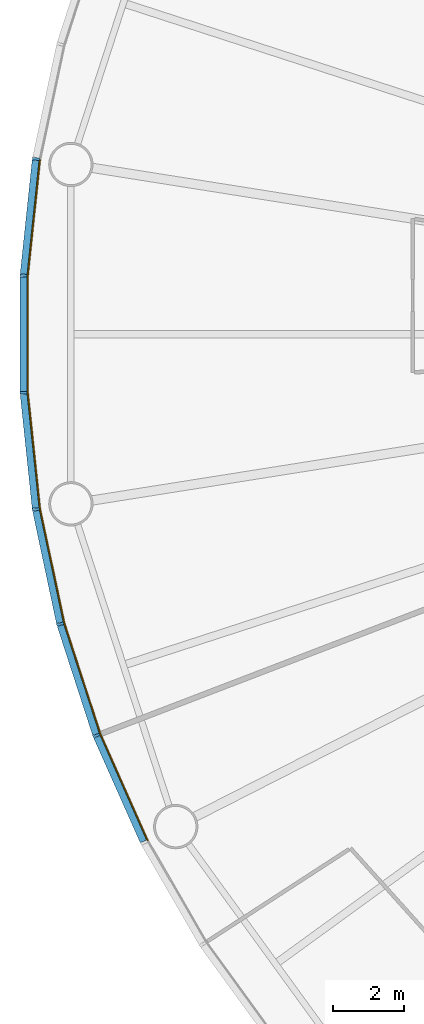
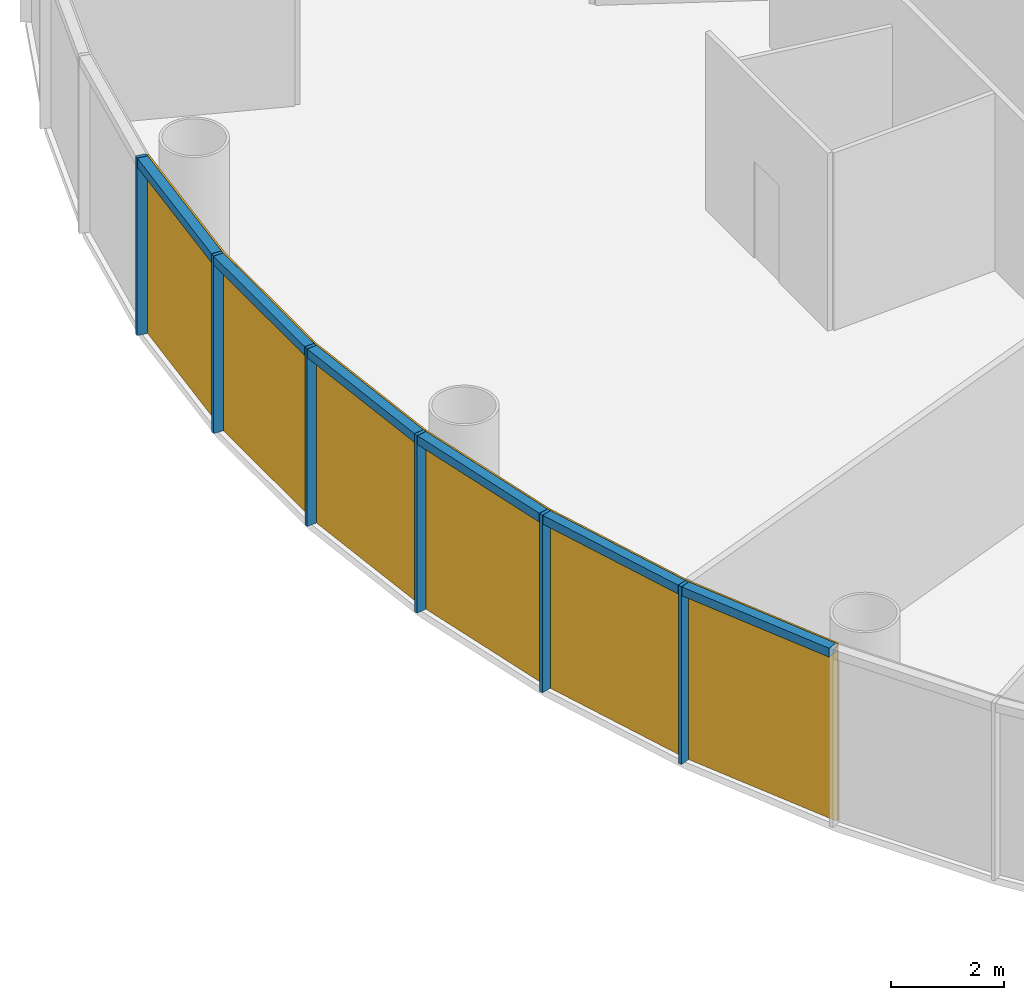
# One storey, part 8 of 13: 12 members, 2 curtain walls.
"""IFC4 building model written with IfcOpenShell, lengths in metres."""

from ifc_helpers import new_model, si_unit, direction, frame, origin, origin_2d, place, context, subcontext, project, spatial, polyline, rectangle, outline, extrude, material, layer, layer_set, material_profile, profile_set, type_object, element, aggregate, save


model = new_model("IFC4")

# Units and contexts
model_context = context("Model", 3, precision=1e-05, world=origin(), true_north=direction((0.0, 1.0)))
body_context = subcontext(model_context, "Body", "Model", "MODEL_VIEW")
ifc_project = project(units=[si_unit("LENGTHUNIT", "METRE"), si_unit("AREAUNIT", "SQUARE_METRE"), si_unit("VOLUMEUNIT", "CUBIC_METRE"), si_unit("PLANEANGLEUNIT", "RADIAN"), si_unit("MASSUNIT", "GRAM", prefix="KILO")], contexts=[model_context])

# Member
ifc_material_1 = material(Name="Anodised aluminium", Category="aluminium")
ifc_material_profile_1 = material_profile(ifc_material_1, rectangle(XDim=0.070068359375, YDim=0.199951171875, at=origin_2d()), Name="Mullion 70 x 200 mm anodised aluminium")
ifc_profile_set_1 = profile_set([ifc_material_profile_1], Name="Anodised aluminium")
member_type_1 = type_object("IfcMemberType", Name="Mullion 70 x 200 mm anodised aluminium", PredefinedType="MULLION", material=ifc_profile_set_1)
site_placement = place(None, origin())
building_placement = place(site_placement, origin())
storey_placement = place(building_placement, frame((0.0, 0.0, 108.0)))
member_1_placement = place(storey_placement, frame((58.7890625, 84.943359375, 0.0), z_axis=(0.0, 0.0, 1.0), x_axis=(-0.15643446504, -0.987688340595, 0.0)))
member_1 = element("IfcMember", 1, at=member_1_placement, type_object=member_type_1, Name="MULLION L24-27", PredefinedType="MULLION", context=body_context, shape_type="SweptSolid", body=[
    extrude(rectangle(XDim=0.070068359375, YDim=0.199951171875, at=origin_2d()), origin(), (0.0, 0.0, 1.0), 3.85009765625),
])

member_2_placement = place(storey_placement, frame((58.443359375, 81.65380859375, 0.0), z_axis=(0.0, 0.0, 1.0), x_axis=(-0.052335956243, -0.998629534755, 0.0)))
member_2 = element("IfcMember", 2, at=member_2_placement, type_object=member_type_1, Name="MULLION L24-28", PredefinedType="MULLION", context=body_context, shape_type="SweptSolid", body=[
    extrude(rectangle(XDim=0.070068359375, YDim=0.199951171875, at=origin_2d()), origin(), (0.0, 0.0, 1.0), 3.85009765625),
])

member_3_placement = place(storey_placement, frame((58.443359375, 78.34619140625, 0.0), z_axis=(0.0, 0.0, 1.0), x_axis=(0.052335956243, -0.998629534755, 0.0)))
member_3 = element("IfcMember", 3, at=member_3_placement, type_object=member_type_1, Name="MULLION L24-29", PredefinedType="MULLION", context=body_context, shape_type="SweptSolid", body=[
    extrude(rectangle(XDim=0.070068359375, YDim=0.199951171875, at=origin_2d()), origin(), (0.0, 0.0, 1.0), 3.85009765625),
])

member_4_placement = place(storey_placement, frame((58.7890625, 75.056640625, 0.0), z_axis=(0.0, 0.0, 1.0), x_axis=(0.15643446504, -0.987688340595, 0.0)))
member_4 = element("IfcMember", 4, at=member_4_placement, type_object=member_type_1, Name="MULLION L24-30", PredefinedType="MULLION", context=body_context, shape_type="SweptSolid", body=[
    extrude(rectangle(XDim=0.070068359375, YDim=0.199951171875, at=origin_2d()), origin(), (0.0, 0.0, 1.0), 3.85009765625),
])

member_5_placement = place(storey_placement, frame((59.476806640625, 71.8212890625, 0.0), z_axis=(0.0, 0.0, 1.0), x_axis=(0.258819045103, -0.965925826289, 0.0)))
member_5 = element("IfcMember", 5, at=member_5_placement, type_object=member_type_1, Name="MULLION L24-31", PredefinedType="MULLION", context=body_context, shape_type="SweptSolid", body=[
    extrude(rectangle(XDim=0.070068359375, YDim=0.199951171875, at=origin_2d()), origin(), (0.0, 0.0, 1.0), 3.85009765625),
])

member_6_placement = place(storey_placement, frame((60.498779296875, 68.675537109375, 0.0), z_axis=(0.0, 0.0, 1.0), x_axis=(0.358367949545, -0.933580426497, 0.0)))
member_6 = element("IfcMember", 6, at=member_6_placement, type_object=member_type_1, Name="MULLION L24-32", PredefinedType="MULLION", context=body_context, shape_type="SweptSolid", body=[
    extrude(rectangle(XDim=0.070068359375, YDim=0.199951171875, at=origin_2d()), origin(), (0.0, 0.0, 1.0), 3.85009765625),
])

ifc_material_2 = material(Name="Anodised aluminium", Category="aluminium")
ifc_material_profile_2 = material_profile(ifc_material_2, rectangle(XDim=0.199951171875, YDim=0.18994140625, at=origin_2d()), Name="Transom 190 x 200 mm anodised aluminium")
ifc_profile_set_2 = profile_set([ifc_material_profile_2], Name="Anodised aluminium")
member_type_2 = type_object("IfcMemberType", Name="Transom 190 x 200 mm anodised aluminium", PredefinedType="USERDEFINED", material=ifc_profile_set_2)
member_7_placement = place(storey_placement, frame((58.78466796875, 84.9033203125, 3.7548828125), z_axis=(-0.104550890115, -0.994519537956, 0.0), x_axis=(0.994519537956, -0.104550890115, 0.0)))
member_7 = element("IfcMember", 7, at=member_7_placement, type_object=member_type_2, Name="TRANSOM L24-27", ObjectType="TRANSOM", PredefinedType="USERDEFINED", context=body_context, shape_type="SweptSolid", body=[
    extrude(rectangle(XDim=0.199951171875, YDim=0.18994140625, at=origin_2d()), origin(), (0.0, 0.0, 1.0), 3.22705078125),
])

member_8_placement = place(storey_placement, frame((58.443115234375, 81.613525390625, 3.7548828125), z_axis=(0.0, -1.0, 0.0), x_axis=(1.0, 0.0, 0.0)))
member_8 = element("IfcMember", 8, at=member_8_placement, type_object=member_type_2, Name="TRANSOM L24-28", ObjectType="TRANSOM", PredefinedType="USERDEFINED", context=body_context, shape_type="SweptSolid", body=[
    extrude(rectangle(XDim=0.199951171875, YDim=0.18994140625, at=origin_2d()), origin(), (0.0, 0.0, 1.0), 3.22705078125),
])

member_9_placement = place(storey_placement, frame((58.447265625, 78.30615234375, 3.7548828125), z_axis=(0.104550890115, -0.994519537956, 0.0), x_axis=(0.994519537956, 0.104550890115, 0.0)))
member_9 = element("IfcMember", 9, at=member_9_placement, type_object=member_type_2, Name="TRANSOM L24-29", ObjectType="TRANSOM", PredefinedType="USERDEFINED", context=body_context, shape_type="SweptSolid", body=[
    extrude(rectangle(XDim=0.199951171875, YDim=0.18994140625, at=origin_2d()), origin(), (0.0, 0.0, 1.0), 3.22705078125),
])

member_10_placement = place(storey_placement, frame((58.79736328125, 75.017333984375, 3.7548828125), z_axis=(0.207885898771, -0.978153082647, 0.0), x_axis=(0.978153082647, 0.207885898771, 0.0)))
member_10 = element("IfcMember", 10, at=member_10_placement, type_object=member_type_2, Name="TRANSOM L24-30", ObjectType="TRANSOM", PredefinedType="USERDEFINED", context=body_context, shape_type="SweptSolid", body=[
    extrude(rectangle(XDim=0.199951171875, YDim=0.18994140625, at=origin_2d()), origin(), (0.0, 0.0, 1.0), 3.227294921875),
])

member_11_placement = place(storey_placement, frame((59.489013671875, 71.782958984375, 3.7548828125), z_axis=(0.309046726844, -0.951046855117, 0.0), x_axis=(0.951046855117, 0.309046726844, 0.0)))
member_11 = element("IfcMember", 11, at=member_11_placement, type_object=member_type_2, Name="TRANSOM L24-31", ObjectType="TRANSOM", PredefinedType="USERDEFINED", context=body_context, shape_type="SweptSolid", body=[
    extrude(rectangle(XDim=0.199951171875, YDim=0.18994140625, at=origin_2d()), origin(), (0.0, 0.0, 1.0), 3.22705078125),
])

member_12_placement = place(storey_placement, frame((60.51513671875, 68.638671875, 3.7548828125), z_axis=(0.406728032322, -0.913549291349, 0.0), x_axis=(0.913549291349, 0.406728032322, 0.0)))
member_12 = element("IfcMember", 12, at=member_12_placement, type_object=member_type_2, Name="TRANSOM L24-32", ObjectType="TRANSOM", PredefinedType="USERDEFINED", context=body_context, shape_type="SweptSolid", body=[
    extrude(rectangle(XDim=0.199951171875, YDim=0.18994140625, at=origin_2d()), origin(), (0.0, 0.0, 1.0), 3.22705078125),
])

# Site, building, storey
site = spatial("IfcSite", under=ifc_project, at=site_placement, CompositionType="ELEMENT")
building = spatial("IfcBuilding", under=site, at=building_placement, Name="Entoto Ring Tower", CompositionType="ELEMENT")
storey = spatial("IfcBuildingStorey", under=building, at=storey_placement, Name="L24", CompositionType="ELEMENT", Elevation=108.0)

# Curtain wall
ifc_material_3 = material(Name="Clear low-iron glass", Category="glass")
ifc_layer = layer(ifc_material_3, 0.035888671875)
ifc_layer_set = layer_set([ifc_layer], Name="Clear low-iron glass")
curtain_wall_type = type_object("IfcCurtainWallType", Name="Curtain wall system CW2 glazing 36 mm", PredefinedType="NOTDEFINED", material=ifc_layer_set)
curtain_wall_1_placement = place(storey_placement, origin())
curtain_wall_1 = element("IfcCurtainWall", 13, at=curtain_wall_1_placement, inside=storey, type_object=curtain_wall_type, Name="CW2 L24-10", PredefinedType="NOTDEFINED", context=body_context, shape_type="SweptSolid", body=[
    extrude(outline(polyline([(58.8876953125, 84.927734375), (58.543212890625, 81.648681640625), (58.543212890625, 78.351318359375), (58.8876953125, 75.072265625), (58.92333984375, 75.077880859375), (58.5791015625, 78.353271484375), (58.5791015625, 81.646728515625), (58.92333984375, 84.922119140625), (58.8876953125, 84.927734375)])), origin(), (0.0, 0.0, 1.0), 3.85009765625),
])

aggregate(curtain_wall_1, [member_1, member_2, member_3, member_7, member_8, member_9])

curtain_wall_2_placement = place(storey_placement, origin())
curtain_wall_2 = element("IfcCurtainWall", 14, at=curtain_wall_2_placement, inside=storey, type_object=curtain_wall_type, Name="CW2 L24-11", PredefinedType="NOTDEFINED", context=body_context, shape_type="SweptSolid", body=[
    extrude(outline(polyline([(58.8876953125, 75.072265625), (59.5732421875, 71.84716796875), (60.59228515625, 68.71142578125), (61.933349609375, 65.69921875), (61.96533203125, 65.715576171875), (60.6259765625, 68.724365234375), (59.608154296875, 71.8564453125), (58.92333984375, 75.077880859375), (58.8876953125, 75.072265625)])), origin(), (0.0, 0.0, 1.0), 3.85009765625),
])

aggregate(curtain_wall_2, [member_4, member_5, member_6, member_10, member_11, member_12])

save(model, "model.ifc")
